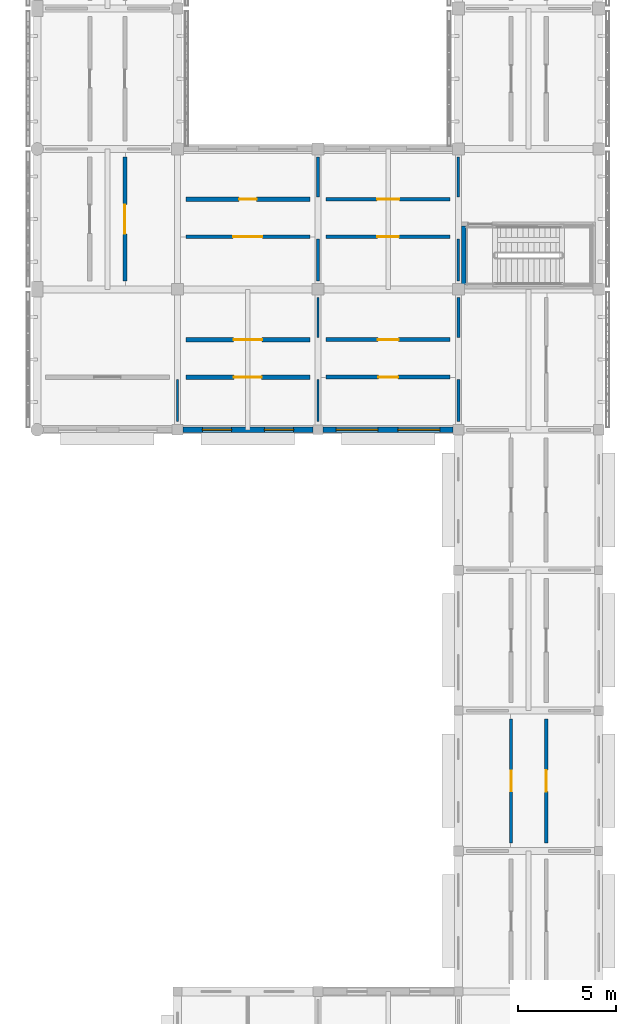
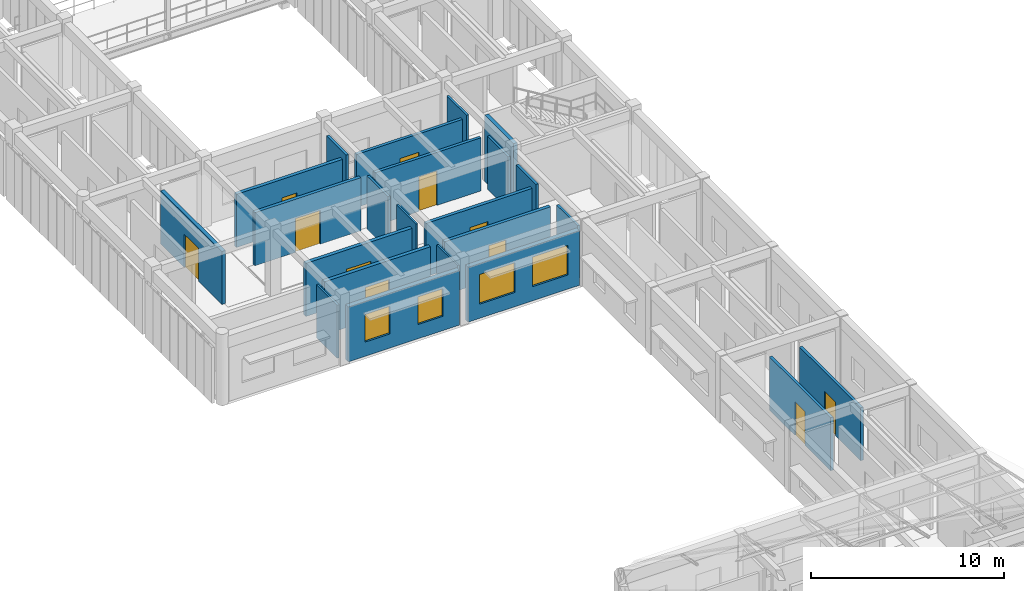
# One storey, part 136 of 171: 23 walls, 11 doors, 4 windows, 15 openings.
"""IFC4 building model written with IfcOpenShell, lengths in metres."""

from ifc_helpers import new_model, si_unit, direction, frame, frame_2d, origin, place, context, subcontext, project, spatial, rectangle, extrude, material, layer, layer_set, type_object, element, fill, save


model = new_model("IFC4")

# Units and contexts
model_context = context("Model", 3, precision=1e-05, world=origin(), true_north=direction((0.0, 1.0)))
body_context = subcontext(model_context, "Body", "Model", "MODEL_VIEW")
ifc_project = project(units=[si_unit("LENGTHUNIT", "METRE"), si_unit("AREAUNIT", "SQUARE_METRE"), si_unit("VOLUMEUNIT", "CUBIC_METRE"), si_unit("PLANEANGLEUNIT", "RADIAN"), si_unit("MASSUNIT", "GRAM", prefix="KILO")], contexts=[model_context])

# Site, building, storey
site_placement = place(None, origin())
site = spatial("IfcSite", under=ifc_project, at=site_placement, CompositionType="ELEMENT")
building_placement = place(site_placement, origin())
building = spatial("IfcBuilding", under=site, at=building_placement, Name="Aldebral Square Health Centre", CompositionType="ELEMENT")
storey_placement = place(building_placement, frame((0.0, 0.0, 4.5)))
storey = spatial("IfcBuildingStorey", under=building, at=storey_placement, Name="L01", CompositionType="ELEMENT", Elevation=4.5)

# Wall, openings, windows
ifc_material_1 = material(Name="Ochre mineral-rendered concrete C35/45 court wall", Category="concrete")
ifc_layer_1 = layer(ifc_material_1, 0.280029296875, Name="Ochre mineral-rendered concrete C35/45 court wall", Category="concrete")
ifc_layer_set_1 = layer_set([ifc_layer_1], Name="Ochre mineral-rendered concrete C35/45 court wall")
wall_type_1 = type_object("IfcWallType", Name="EW-OCH-280", PredefinedType="STANDARD", material=ifc_layer_set_1)
wall_1_placement = place(storey_placement, frame((144.27490234375, 50.39990234375, 0.0), z_axis=(0.0, 0.0, 1.0), x_axis=(1.0, 0.0, 0.0)))
wall_1 = element("IfcWall", 1, at=wall_1_placement, inside=storey, type_object=wall_type_1, Name="L01 V5 exterior wall L01-V5-20-07-S", PredefinedType="STANDARD", context=body_context, shape_type="SweptSolid", body=[
    extrude(rectangle(XDim=6.675048828125, YDim=0.280029296875, at=frame_2d((3.33740234375, 0.0))), origin(), (0.0, 0.0, 1.0), 3.469970703125),
])
opening_1_placement = place(wall_1_placement, frame((1.0, 0.0, 0.89990234375)))
opening_1 = element("IfcOpeningElement", 2, at=opening_1_placement, cuts=wall_1, Name="Opening W41", PredefinedType="OPENING", context=body_context, shape_type="SweptSolid", body=[
    extrude(rectangle(XDim=1.5, YDim=1.75, at=frame_2d((0.75, 0.875))), frame((0.0, 0.14990234375, 0.0), z_axis=(0.0, -1.0, 0.0), x_axis=(1.0, 0.0, 0.0)), (0.0, 0.0, 1.0), 0.300048828125),
])
opening_2_placement = place(wall_1_placement, frame((4.175048828125, 0.0, 0.89990234375)))
opening_2 = element("IfcOpeningElement", 3, at=opening_2_placement, cuts=wall_1, Name="Opening W41", PredefinedType="OPENING", context=body_context, shape_type="SweptSolid", body=[
    extrude(rectangle(XDim=1.5, YDim=1.75, at=frame_2d((0.75, 0.875))), frame((0.0, 0.14990234375, 0.0), z_axis=(0.0, -1.0, 0.0), x_axis=(1.0, 0.0, 0.0)), (0.0, 0.0, 1.0), 0.300048828125),
])
ifc_material_2 = material(Name="Thermally broken aluminium and low-E glass", Category="aluminium")
window_type_1 = type_object("IfcWindowType", Name="WIN-W41", PartitioningType="SINGLE_PANEL", PredefinedType="WINDOW", material=ifc_material_2)
window_1_placement = place(opening_1_placement, origin())
window_1 = element("IfcWindow", 4, at=window_1_placement, inside=storey, type_object=window_type_1, Name="L01 clinical window L01-V5-20-07-S.1", OverallHeight=1.75, OverallWidth=1.5, PartitioningType="SINGLE_PANEL", PredefinedType="WINDOW", context=body_context, shape_type="SweptSolid", body=[
    extrude(rectangle(XDim=1.5, YDim=1.75, at=frame_2d((0.75, 0.875))), frame((0.0, 0.030029296875, 0.0), z_axis=(0.0, -1.0, 0.0), x_axis=(1.0, 0.0, 0.0)), (0.0, 0.0, 1.0), 0.06005859375),
])
fill(opening_1, window_1)
window_2_placement = place(opening_2_placement, origin())
window_2 = element("IfcWindow", 5, at=window_2_placement, inside=storey, type_object=window_type_1, Name="L01 clinical window L01-V5-20-07-S.2", OverallHeight=1.75, OverallWidth=1.5, PartitioningType="SINGLE_PANEL", PredefinedType="WINDOW", context=body_context, shape_type="SweptSolid", body=[
    extrude(rectangle(XDim=1.5, YDim=1.75, at=frame_2d((0.75, 0.875))), frame((0.0, 0.030029296875, 0.0), z_axis=(0.0, -1.0, 0.0), x_axis=(1.0, 0.0, 0.0)), (0.0, 0.0, 1.0), 0.06005859375),
])
fill(opening_2, window_2)

wall_2_placement = place(storey_placement, frame((151.449951171875, 50.39990234375, 0.0), z_axis=(0.0, 0.0, 1.0), x_axis=(1.0, 0.0, 0.0)))
wall_2 = element("IfcWall", 6, at=wall_2_placement, inside=storey, type_object=wall_type_1, Name="L01 V5 exterior wall L01-V5-21-07-S", PredefinedType="STANDARD", context=body_context, shape_type="SweptSolid", body=[
    extrude(rectangle(XDim=6.675048828125, YDim=0.280029296875, at=frame_2d((3.33740234375, 0.0))), origin(), (0.0, 0.0, 1.0), 3.469970703125),
])
opening_3_placement = place(wall_2_placement, frame((0.675048828125, 0.0, 0.89990234375)))
opening_3 = element("IfcOpeningElement", 7, at=opening_3_placement, cuts=wall_2, Name="Opening W54", PredefinedType="OPENING", context=body_context, shape_type="SweptSolid", body=[
    extrude(rectangle(XDim=2.14990234375, YDim=1.8798828125, at=frame_2d((1.074951171875, 0.93994140625))), frame((0.0, 0.14990234375, 0.0), z_axis=(0.0, -1.0, 0.0), x_axis=(1.0, 0.0, 0.0)), (0.0, 0.0, 1.0), 0.300048828125),
])
opening_4_placement = place(wall_2_placement, frame((3.85009765625, 0.0, 0.89990234375)))
opening_4 = element("IfcOpeningElement", 8, at=opening_4_placement, cuts=wall_2, Name="Opening W54", PredefinedType="OPENING", context=body_context, shape_type="SweptSolid", body=[
    extrude(rectangle(XDim=2.14990234375, YDim=1.8798828125, at=frame_2d((1.074951171875, 0.93994140625))), frame((0.0, 0.14990234375, 0.0), z_axis=(0.0, -1.0, 0.0), x_axis=(1.0, 0.0, 0.0)), (0.0, 0.0, 1.0), 0.300048828125),
])
window_type_2 = type_object("IfcWindowType", Name="WIN-W54", PartitioningType="SINGLE_PANEL", PredefinedType="WINDOW", material=ifc_material_2)
window_3_placement = place(opening_3_placement, origin())
window_3 = element("IfcWindow", 9, at=window_3_placement, inside=storey, type_object=window_type_2, Name="L01 clinical window L01-V5-21-07-S.1", OverallHeight=1.8798828125, OverallWidth=2.14990234375, PartitioningType="SINGLE_PANEL", PredefinedType="WINDOW", context=body_context, shape_type="SweptSolid", body=[
    extrude(rectangle(XDim=2.14990234375, YDim=1.8798828125, at=frame_2d((1.074951171875, 0.93994140625))), frame((0.0, 0.030029296875, 0.0), z_axis=(0.0, -1.0, 0.0), x_axis=(1.0, 0.0, 0.0)), (0.0, 0.0, 1.0), 0.06005859375),
])
fill(opening_3, window_3)
window_4_placement = place(opening_4_placement, origin())
window_4 = element("IfcWindow", 10, at=window_4_placement, inside=storey, type_object=window_type_2, Name="L01 clinical window L01-V5-21-07-S.2", OverallHeight=1.8798828125, OverallWidth=2.14990234375, PartitioningType="SINGLE_PANEL", PredefinedType="WINDOW", context=body_context, shape_type="SweptSolid", body=[
    extrude(rectangle(XDim=2.14990234375, YDim=1.8798828125, at=frame_2d((1.074951171875, 0.93994140625))), frame((0.0, 0.030029296875, 0.0), z_axis=(0.0, -1.0, 0.0), x_axis=(1.0, 0.0, 0.0)), (0.0, 0.0, 1.0), 0.06005859375),
])
fill(opening_4, window_4)

# Wall, opening, door
ifc_material_3 = material(Name="Concrete C35/45 compartment wall", Category="concrete")
ifc_layer_2 = layer(ifc_material_3, 0.199951171875, Name="Concrete C35/45 compartment wall", Category="concrete")
ifc_layer_set_2 = layer_set([ifc_layer_2], Name="Concrete C35/45 compartment wall")
wall_type_2 = type_object("IfcWallType", Name="IW-CMP-200", PredefinedType="SOLIDWALL", material=ifc_layer_set_2)
wall_3_placement = place(storey_placement, frame((144.419921875, 60.300048828125, 0.0), z_axis=(0.0, 0.0, 1.0), x_axis=(1.0, 0.0, 0.0)))
wall_3 = element("IfcWall", 11, at=wall_3_placement, inside=storey, type_object=wall_type_2, Name="L01 Clean Supply Store 21.9S corridor wall", PredefinedType="SOLIDWALL", context=body_context, shape_type="SweptSolid", body=[
    extrude(rectangle(XDim=6.360107421875, YDim=0.199951171875, at=frame_2d((3.18017578125, 0.0))), origin(), (0.0, 0.0, 1.0), 3.360107421875),
])
opening_5_placement = place(wall_3_placement, frame((2.429931640625, 0.0, 0.0)))
opening_5 = element("IfcOpeningElement", 12, at=opening_5_placement, cuts=wall_3, Name="Opening D-0338", PredefinedType="OPENING", context=body_context, shape_type="SweptSolid", body=[
    extrude(rectangle(XDim=1.5, YDim=2.139892578125, at=frame_2d((0.75, 1.06982421875))), frame((0.0, 0.10986328125, 0.0), z_axis=(0.0, -1.0, 0.0), x_axis=(1.0, 0.0, 0.0)), (0.0, 0.0, 1.0), 0.219970703125),
])
ifc_material_4 = material(Name="Clinical suite fire door")
door_type_1 = type_object("IfcDoorType", Name="ID-EXD-47", OperationType="NOTDEFINED", PredefinedType="DOOR", material=ifc_material_4)
door_1_placement = place(opening_5_placement, origin())
door_1 = element("IfcDoor", 13, at=door_1_placement, inside=storey, type_object=door_type_1, Name="L01 Clean Supply Store 21.9S door", OperationType="SINGLE_SWING_LEFT", OverallHeight=2.139892578125, OverallWidth=1.5, PredefinedType="DOOR", context=body_context, shape_type="SweptSolid", body=[
    extrude(rectangle(XDim=1.5, YDim=2.139892578125, at=frame_2d((0.75, 1.06982421875))), frame((0.0, 0.02490234375, 0.0), z_axis=(0.0, -1.0, 0.0), x_axis=(1.0, 0.0, 0.0)), (0.0, 0.0, 1.0), 0.050048828125),
])
fill(opening_5, door_1)

wall_4_placement = place(storey_placement, frame((151.6201171875, 53.10009765625, 0.0), z_axis=(0.0, 0.0, 1.0), x_axis=(1.0, 0.0, 0.0)))
wall_4 = element("IfcWall", 14, at=wall_4_placement, inside=storey, type_object=wall_type_2, Name="L01 Pulmonary Function Clinic 22.8S corridor wall", PredefinedType="SOLIDWALL", context=body_context, shape_type="SweptSolid", body=[
    extrude(rectangle(XDim=6.35986328125, YDim=0.199951171875, at=frame_2d((3.179931640625, 0.0))), origin(), (0.0, 0.0, 1.0), 3.360107421875),
])
opening_6_placement = place(wall_4_placement, frame((2.669921875, 0.0, 0.0)))
opening_6 = element("IfcOpeningElement", 15, at=opening_6_placement, cuts=wall_4, Name="Opening D-0342", PredefinedType="OPENING", context=body_context, shape_type="SweptSolid", body=[
    extrude(rectangle(XDim=1.02001953125, YDim=2.18994140625, at=frame_2d((0.510009765625, 1.094970703125))), frame((0.0, 0.10986328125, 0.0), z_axis=(0.0, -1.0, 0.0), x_axis=(1.0, 0.0, 0.0)), (0.0, 0.0, 1.0), 0.219970703125),
])
door_type_2 = type_object("IfcDoorType", Name="ID-EXD-51", OperationType="NOTDEFINED", PredefinedType="DOOR", material=ifc_material_4)
door_2_placement = place(opening_6_placement, origin())
door_2 = element("IfcDoor", 16, at=door_2_placement, inside=storey, type_object=door_type_2, Name="L01 Pulmonary Function Clinic 22.8S door", OperationType="SINGLE_SWING_LEFT", OverallHeight=2.18994140625, OverallWidth=1.02001953125, PredefinedType="DOOR", context=body_context, shape_type="SweptSolid", body=[
    extrude(rectangle(XDim=1.02001953125, YDim=2.18994140625, at=frame_2d((0.510009765625, 1.094970703125))), frame((0.0, 0.02490234375, 0.0), z_axis=(0.0, -1.0, 0.0), x_axis=(1.0, 0.0, 0.0)), (0.0, 0.0, 1.0), 0.050048828125),
])
fill(opening_6, door_2)

wall_5_placement = place(storey_placement, frame((151.6201171875, 55.02001953125, 0.0), z_axis=(0.0, 0.0, 1.0), x_axis=(1.0, 0.0, 0.0)))
wall_5 = element("IfcWall", 17, at=wall_5_placement, inside=storey, type_object=wall_type_2, Name="L01 Audiology Testing Booth 22.8N corridor wall", PredefinedType="SOLIDWALL", context=body_context, shape_type="SweptSolid", body=[
    extrude(rectangle(XDim=6.35986328125, YDim=0.199951171875, at=frame_2d((3.179931640625, 0.0))), origin(), (0.0, 0.0, 1.0), 3.360107421875),
])
opening_7_placement = place(wall_5_placement, frame((2.64990234375, 0.0, 0.0)))
opening_7 = element("IfcOpeningElement", 18, at=opening_7_placement, cuts=wall_5, Name="Opening D-0343", PredefinedType="OPENING", context=body_context, shape_type="SweptSolid", body=[
    extrude(rectangle(XDim=1.06005859375, YDim=2.18994140625, at=frame_2d((0.530029296875, 1.094970703125))), frame((0.0, 0.10986328125, 0.0), z_axis=(0.0, -1.0, 0.0), x_axis=(1.0, 0.0, 0.0)), (0.0, 0.0, 1.0), 0.219970703125),
])
door_type_3 = type_object("IfcDoorType", Name="ID-EXD-52", OperationType="NOTDEFINED", PredefinedType="DOOR", material=ifc_material_4)
door_3_placement = place(opening_7_placement, origin())
door_3 = element("IfcDoor", 19, at=door_3_placement, inside=storey, type_object=door_type_3, Name="L01 Audiology Testing Booth 22.8N door", OperationType="SINGLE_SWING_RIGHT", OverallHeight=2.18994140625, OverallWidth=1.06005859375, PredefinedType="DOOR", context=body_context, shape_type="SweptSolid", body=[
    extrude(rectangle(XDim=1.06005859375, YDim=2.18994140625, at=frame_2d((0.530029296875, 1.094970703125))), frame((0.0, 0.02490234375, 0.0), z_axis=(0.0, -1.0, 0.0), x_axis=(1.0, 0.0, 0.0)), (0.0, 0.0, 1.0), 0.050048828125),
])
fill(opening_7, door_3)

ifc_layer_3 = layer(ifc_material_3, 0.219970703125, Name="Concrete C35/45 compartment wall", Category="concrete")
ifc_layer_set_3 = layer_set([ifc_layer_3], Name="Concrete C35/45 compartment wall")
wall_type_3 = type_object("IfcWallType", Name="IW-CMP-220", PredefinedType="SOLIDWALL", material=ifc_layer_set_3)
wall_6_placement = place(storey_placement, frame((141.300048828125, 58.02001953125, 0.0), z_axis=(0.0, 0.0, 1.0), x_axis=(0.0, 1.0, 0.0)))
wall_6 = element("IfcWall", 20, at=wall_6_placement, inside=storey, type_object=wall_type_3, Name="L01 Audiology Testing Booth 20.9E corridor wall", PredefinedType="SOLIDWALL", context=body_context, shape_type="SweptSolid", body=[
    extrude(rectangle(XDim=6.35986328125, YDim=0.219970703125, at=frame_2d((3.179931640625, 0.0))), origin(), (0.0, 0.0, 1.0), 3.360107421875),
])
opening_8_placement = place(wall_6_placement, frame((2.429931640625, 0.0, 0.0)))
opening_8 = element("IfcOpeningElement", 21, at=opening_8_placement, cuts=wall_6, Name="Opening D-0322", PredefinedType="OPENING", context=body_context, shape_type="SweptSolid", body=[
    extrude(rectangle(XDim=1.5, YDim=2.090087890625, at=frame_2d((0.75, 1.044921875))), frame((0.0, 0.1201171875, 0.0), z_axis=(0.0, -1.0, 0.0), x_axis=(1.0, 0.0, 0.0)), (0.0, 0.0, 1.0), 0.239990234375),
])
door_type_4 = type_object("IfcDoorType", Name="ID-EXD-31", OperationType="NOTDEFINED", PredefinedType="DOOR", material=ifc_material_4)
door_4_placement = place(opening_8_placement, origin())
door_4 = element("IfcDoor", 22, at=door_4_placement, inside=storey, type_object=door_type_4, Name="L01 Audiology Testing Booth 20.9E door", OperationType="SINGLE_SWING_LEFT", OverallHeight=2.090087890625, OverallWidth=1.5, PredefinedType="DOOR", context=body_context, shape_type="SweptSolid", body=[
    extrude(rectangle(XDim=1.5, YDim=2.090087890625, at=frame_2d((0.75, 1.044921875))), frame((0.0, 0.02490234375, 0.0), z_axis=(0.0, -1.0, 0.0), x_axis=(1.0, 0.0, 0.0)), (0.0, 0.0, 1.0), 0.050048828125),
])
fill(opening_8, door_4)

wall_7_placement = place(storey_placement, frame((144.419921875, 53.10009765625, 0.0), z_axis=(0.0, 0.0, 1.0), x_axis=(1.0, 0.0, 0.0)))
wall_7 = element("IfcWall", 23, at=wall_7_placement, inside=storey, type_object=wall_type_3, Name="L01 Audiology Testing Booth 21.8S corridor wall", PredefinedType="SOLIDWALL", context=body_context, shape_type="SweptSolid", body=[
    extrude(rectangle(XDim=6.360107421875, YDim=0.219970703125, at=frame_2d((3.18017578125, 0.0))), origin(), (0.0, 0.0, 1.0), 3.360107421875),
])
opening_9_placement = place(wall_7_placement, frame((2.469970703125, 0.0, 0.0)))
opening_9 = element("IfcOpeningElement", 24, at=opening_9_placement, cuts=wall_7, Name="Opening D-0336", PredefinedType="OPENING", context=body_context, shape_type="SweptSolid", body=[
    extrude(rectangle(XDim=1.419921875, YDim=2.139892578125, at=frame_2d((0.7099609375, 1.06982421875))), frame((0.0, 0.1201171875, 0.0), z_axis=(0.0, -1.0, 0.0), x_axis=(1.0, 0.0, 0.0)), (0.0, 0.0, 1.0), 0.239990234375),
])
door_type_5 = type_object("IfcDoorType", Name="ID-EXD-45", OperationType="NOTDEFINED", PredefinedType="DOOR", material=ifc_material_4)
door_5_placement = place(opening_9_placement, origin())
door_5 = element("IfcDoor", 25, at=door_5_placement, inside=storey, type_object=door_type_5, Name="L01 Audiology Testing Booth 21.8S door", OperationType="SINGLE_SWING_LEFT", OverallHeight=2.139892578125, OverallWidth=1.419921875, PredefinedType="DOOR", context=body_context, shape_type="SweptSolid", body=[
    extrude(rectangle(XDim=1.419921875, YDim=2.139892578125, at=frame_2d((0.7099609375, 1.06982421875))), frame((0.0, 0.02490234375, 0.0), z_axis=(0.0, -1.0, 0.0), x_axis=(1.0, 0.0, 0.0)), (0.0, 0.0, 1.0), 0.050048828125),
])
fill(opening_9, door_5)

wall_8_placement = place(storey_placement, frame((144.419921875, 55.02001953125, 0.0), z_axis=(0.0, 0.0, 1.0), x_axis=(1.0, 0.0, 0.0)))
wall_8 = element("IfcWall", 26, at=wall_8_placement, inside=storey, type_object=wall_type_3, Name="L01 Maternal-Child Clinic 21.8N corridor wall", PredefinedType="SOLIDWALL", context=body_context, shape_type="SweptSolid", body=[
    extrude(rectangle(XDim=6.360107421875, YDim=0.219970703125, at=frame_2d((3.18017578125, 0.0))), origin(), (0.0, 0.0, 1.0), 3.360107421875),
])
opening_10_placement = place(wall_8_placement, frame((2.449951171875, 0.0, 0.0)))
opening_10 = element("IfcOpeningElement", 27, at=opening_10_placement, cuts=wall_8, Name="Opening D-0337", PredefinedType="OPENING", context=body_context, shape_type="SweptSolid", body=[
    extrude(rectangle(XDim=1.4599609375, YDim=2.139892578125, at=frame_2d((0.72998046875, 1.06982421875))), frame((0.0, 0.1201171875, 0.0), z_axis=(0.0, -1.0, 0.0), x_axis=(1.0, 0.0, 0.0)), (0.0, 0.0, 1.0), 0.239990234375),
])
door_type_6 = type_object("IfcDoorType", Name="ID-EXD-46", OperationType="NOTDEFINED", PredefinedType="DOOR", material=ifc_material_4)
door_6_placement = place(opening_10_placement, origin())
door_6 = element("IfcDoor", 28, at=door_6_placement, inside=storey, type_object=door_type_6, Name="L01 Maternal-Child Clinic 21.8N door", OperationType="SINGLE_SWING_RIGHT", OverallHeight=2.139892578125, OverallWidth=1.4599609375, PredefinedType="DOOR", context=body_context, shape_type="SweptSolid", body=[
    extrude(rectangle(XDim=1.4599609375, YDim=2.139892578125, at=frame_2d((0.72998046875, 1.06982421875))), frame((0.0, 0.02490234375, 0.0), z_axis=(0.0, -1.0, 0.0), x_axis=(1.0, 0.0, 0.0)), (0.0, 0.0, 1.0), 0.050048828125),
])
fill(opening_10, door_6)

ifc_material_5 = material(Name="Fire-rated acoustic gypsum partition")
ifc_layer_4 = layer(ifc_material_5, 0.1650390625, Name="Fire-rated acoustic gypsum partition")
ifc_layer_set_4 = layer_set([ifc_layer_4], Name="Fire-rated acoustic gypsum partition")
wall_type_4 = type_object("IfcWallType", Name="IW-COR-165", PredefinedType="PARTITIONING", material=ifc_layer_set_4)
wall_9_placement = place(storey_placement, frame((161.10009765625, 29.219970703125, 0.0), z_axis=(0.0, 0.0, 1.0), x_axis=(0.0, 1.0, 0.0)))
wall_9 = element("IfcWall", 29, at=wall_9_placement, inside=storey, type_object=wall_type_4, Name="L01 Occupational Therapy Workshop 23.5W corridor wall", PredefinedType="PARTITIONING", context=body_context, shape_type="SweptSolid", body=[
    extrude(rectangle(XDim=6.360107421875, YDim=0.1650390625, at=frame_2d((3.18017578125, 0.0))), origin(), (0.0, 0.0, 1.0), 3.360107421875),
])
opening_11_placement = place(wall_9_placement, frame((2.64990234375, 0.0, 0.0)))
opening_11 = element("IfcOpeningElement", 30, at=opening_11_placement, cuts=wall_9, Name="Opening D-0258", PredefinedType="OPENING", context=body_context, shape_type="SweptSolid", body=[
    extrude(rectangle(XDim=1.06005859375, YDim=2.139892578125, at=frame_2d((0.530029296875, 1.06982421875))), frame((0.0, 0.092529296875, 0.0), z_axis=(0.0, -1.0, 0.0), x_axis=(1.0, 0.0, 0.0)), (0.0, 0.0, 1.0), 0.18505859375),
])
door_type_7 = type_object("IfcDoorType", Name="ID-EXD-36", OperationType="NOTDEFINED", PredefinedType="DOOR", material=ifc_material_4)
door_7_placement = place(opening_11_placement, origin())
door_7 = element("IfcDoor", 31, at=door_7_placement, inside=storey, type_object=door_type_7, Name="L01 Occupational Therapy Workshop 23.5W door", OperationType="SINGLE_SWING_LEFT", OverallHeight=2.139892578125, OverallWidth=1.06005859375, PredefinedType="DOOR", context=body_context, shape_type="SweptSolid", body=[
    extrude(rectangle(XDim=1.06005859375, YDim=2.139892578125, at=frame_2d((0.530029296875, 1.06982421875))), frame((0.0, 0.02490234375, 0.0), z_axis=(0.0, -1.0, 0.0), x_axis=(1.0, 0.0, 0.0)), (0.0, 0.0, 1.0), 0.050048828125),
])
fill(opening_11, door_7)

wall_10_placement = place(storey_placement, frame((162.89990234375, 29.219970703125, 0.0), z_axis=(0.0, 0.0, 1.0), x_axis=(0.0, 1.0, 0.0)))
wall_10 = element("IfcWall", 32, at=wall_10_placement, inside=storey, type_object=wall_type_4, Name="L01 Sensory Recovery Suite 23.5E corridor wall", PredefinedType="PARTITIONING", context=body_context, shape_type="SweptSolid", body=[
    extrude(rectangle(XDim=6.360107421875, YDim=0.1650390625, at=frame_2d((3.18017578125, 0.0))), origin(), (0.0, 0.0, 1.0), 3.360107421875),
])
opening_12_placement = place(wall_10_placement, frame((2.6298828125, 0.0, 0.0)))
opening_12 = element("IfcOpeningElement", 33, at=opening_12_placement, cuts=wall_10, Name="Opening D-0259", PredefinedType="OPENING", context=body_context, shape_type="SweptSolid", body=[
    extrude(rectangle(XDim=1.10009765625, YDim=2.139892578125, at=frame_2d((0.550048828125, 1.06982421875))), frame((0.0, 0.092529296875, 0.0), z_axis=(0.0, -1.0, 0.0), x_axis=(1.0, 0.0, 0.0)), (0.0, 0.0, 1.0), 0.18505859375),
])
door_type_8 = type_object("IfcDoorType", Name="ID-EXD-37", OperationType="NOTDEFINED", PredefinedType="DOOR", material=ifc_material_4)
door_8_placement = place(opening_12_placement, origin())
door_8 = element("IfcDoor", 34, at=door_8_placement, inside=storey, type_object=door_type_8, Name="L01 Sensory Recovery Suite 23.5E door", OperationType="SINGLE_SWING_RIGHT", OverallHeight=2.139892578125, OverallWidth=1.10009765625, PredefinedType="DOOR", context=body_context, shape_type="SweptSolid", body=[
    extrude(rectangle(XDim=1.10009765625, YDim=2.139892578125, at=frame_2d((0.550048828125, 1.06982421875))), frame((0.0, 0.02490234375, 0.0), z_axis=(0.0, -1.0, 0.0), x_axis=(1.0, 0.0, 0.0)), (0.0, 0.0, 1.0), 0.050048828125),
])
fill(opening_12, door_8)

ifc_layer_5 = layer(ifc_material_5, 0.179931640625, Name="Fire-rated acoustic gypsum partition")
ifc_layer_set_5 = layer_set([ifc_layer_5], Name="Fire-rated acoustic gypsum partition")
wall_type_5 = type_object("IfcWallType", Name="IW-COR-180", PredefinedType="PARTITIONING", material=ifc_layer_set_5)
wall_11_placement = place(storey_placement, frame((151.6201171875, 60.300048828125, 0.0), z_axis=(0.0, 0.0, 1.0), x_axis=(1.0, 0.0, 0.0)))
wall_11 = element("IfcWall", 35, at=wall_11_placement, inside=storey, type_object=wall_type_5, Name="L01 Maternal-Child Clinic 22.9S corridor wall", PredefinedType="PARTITIONING", context=body_context, shape_type="SweptSolid", body=[
    extrude(rectangle(XDim=6.35986328125, YDim=0.179931640625, at=frame_2d((3.179931640625, 0.0))), origin(), (0.0, 0.0, 1.0), 3.360107421875),
])
opening_13_placement = place(wall_11_placement, frame((2.6298828125, 0.0, 0.0)))
opening_13 = element("IfcOpeningElement", 36, at=opening_13_placement, cuts=wall_11, Name="Opening D-0344", PredefinedType="OPENING", context=body_context, shape_type="SweptSolid", body=[
    extrude(rectangle(XDim=1.10009765625, YDim=2.18994140625, at=frame_2d((0.550048828125, 1.094970703125))), frame((0.0, 0.10009765625, 0.0), z_axis=(0.0, -1.0, 0.0), x_axis=(1.0, 0.0, 0.0)), (0.0, 0.0, 1.0), 0.199951171875),
])
door_type_9 = type_object("IfcDoorType", Name="ID-EXD-53", OperationType="NOTDEFINED", PredefinedType="DOOR", material=ifc_material_4)
door_9_placement = place(opening_13_placement, origin())
door_9 = element("IfcDoor", 37, at=door_9_placement, inside=storey, type_object=door_type_9, Name="L01 Maternal-Child Clinic 22.9S door", OperationType="SINGLE_SWING_LEFT", OverallHeight=2.18994140625, OverallWidth=1.10009765625, PredefinedType="DOOR", context=body_context, shape_type="SweptSolid", body=[
    extrude(rectangle(XDim=1.10009765625, YDim=2.18994140625, at=frame_2d((0.550048828125, 1.094970703125))), frame((0.0, 0.02490234375, 0.0), z_axis=(0.0, -1.0, 0.0), x_axis=(1.0, 0.0, 0.0)), (0.0, 0.0, 1.0), 0.050048828125),
])
fill(opening_13, door_9)

wall_12_placement = place(storey_placement, frame((151.6201171875, 62.219970703125, 0.0), z_axis=(0.0, 0.0, 1.0), x_axis=(1.0, 0.0, 0.0)))
wall_12 = element("IfcWall", 38, at=wall_12_placement, inside=storey, type_object=wall_type_5, Name="L01 Clean Supply Store 22.9N corridor wall", PredefinedType="PARTITIONING", context=body_context, shape_type="SweptSolid", body=[
    extrude(rectangle(XDim=6.35986328125, YDim=0.179931640625, at=frame_2d((3.179931640625, 0.0))), origin(), (0.0, 0.0, 1.0), 3.360107421875),
])
opening_14_placement = place(wall_12_placement, frame((2.610107421875, 0.0, 0.0)))
opening_14 = element("IfcOpeningElement", 39, at=opening_14_placement, cuts=wall_12, Name="Opening D-0345", PredefinedType="OPENING", context=body_context, shape_type="SweptSolid", body=[
    extrude(rectangle(XDim=1.139892578125, YDim=2.18994140625, at=frame_2d((0.56982421875, 1.094970703125))), frame((0.0, 0.10009765625, 0.0), z_axis=(0.0, -1.0, 0.0), x_axis=(1.0, 0.0, 0.0)), (0.0, 0.0, 1.0), 0.199951171875),
])
door_type_10 = type_object("IfcDoorType", Name="ID-EXD-54", OperationType="NOTDEFINED", PredefinedType="DOOR", material=ifc_material_4)
door_10_placement = place(opening_14_placement, origin())
door_10 = element("IfcDoor", 40, at=door_10_placement, inside=storey, type_object=door_type_10, Name="L01 Clean Supply Store 22.9N door", OperationType="SINGLE_SWING_RIGHT", OverallHeight=2.18994140625, OverallWidth=1.139892578125, PredefinedType="DOOR", context=body_context, shape_type="SweptSolid", body=[
    extrude(rectangle(XDim=1.139892578125, YDim=2.18994140625, at=frame_2d((0.56982421875, 1.094970703125))), frame((0.0, 0.02490234375, 0.0), z_axis=(0.0, -1.0, 0.0), x_axis=(1.0, 0.0, 0.0)), (0.0, 0.0, 1.0), 0.050048828125),
])
fill(opening_14, door_10)

# Wall
ifc_material_6 = material(Name="Concrete C40/50", Category="concrete")
ifc_layer_6 = layer(ifc_material_6, 0.219970703125, Name="Concrete C40/50", Category="concrete")
ifc_layer_set_6 = layer_set([ifc_layer_6], Name="Concrete C40/50")
wall_type_6 = type_object("IfcWallType", Name="IW-CORE-280", PredefinedType="SHEAR", material=ifc_layer_set_6)
wall_13_placement = place(storey_placement, frame((158.669921875, 57.840087890625, 0.0), z_axis=(0.0, 0.0, 1.0), x_axis=(0.0, 1.0, 0.0)))
element("IfcWall", 41, at=wall_13_placement, inside=storey, type_object=wall_type_6, Name="L01 WS-S9 shaft wall W", PredefinedType="SHEAR", context=body_context, shape_type="SweptSolid", body=[
    extrude(rectangle(XDim=3.0, YDim=0.219970703125, at=frame_2d((1.5, 0.0))), origin(), (0.0, 0.0, 1.0), 4.219970703125),
])

# Wall, opening, door
ifc_material_7 = material(Name="Moisture-resistant sanitary chase wall")
ifc_layer_7 = layer(ifc_material_7, 0.2099609375, Name="Moisture-resistant sanitary chase wall")
ifc_layer_set_7 = layer_set([ifc_layer_7], Name="Moisture-resistant sanitary chase wall")
wall_type_7 = type_object("IfcWallType", Name="IW-PLB-210", PredefinedType="PLUMBINGWALL", material=ifc_layer_set_7)
wall_14_placement = place(storey_placement, frame((144.419921875, 62.219970703125, 0.0), z_axis=(0.0, 0.0, 1.0), x_axis=(1.0, 0.0, 0.0)))
wall_14 = element("IfcWall", 42, at=wall_14_placement, inside=storey, type_object=wall_type_7, Name="L01 Accessible WC 21.9N corridor wall", PredefinedType="PLUMBINGWALL", context=body_context, shape_type="SweptSolid", body=[
    extrude(rectangle(XDim=6.360107421875, YDim=0.2099609375, at=frame_2d((3.18017578125, 0.0))), origin(), (0.0, 0.0, 1.0), 3.360107421875),
])
opening_15_placement = place(wall_14_placement, frame((2.72998046875, 0.0, 0.0)))
opening_15 = element("IfcOpeningElement", 43, at=opening_15_placement, cuts=wall_14, Name="Opening D-0339", PredefinedType="OPENING", context=body_context, shape_type="SweptSolid", body=[
    extrude(rectangle(XDim=0.89990234375, YDim=2.18994140625, at=frame_2d((0.449951171875, 1.094970703125))), frame((0.0, 0.114990234375, 0.0), z_axis=(0.0, -1.0, 0.0), x_axis=(1.0, 0.0, 0.0)), (0.0, 0.0, 1.0), 0.22998046875),
])
door_type_11 = type_object("IfcDoorType", Name="ID-EXD-48", OperationType="NOTDEFINED", PredefinedType="DOOR", material=ifc_material_4)
door_11_placement = place(opening_15_placement, origin())
door_11 = element("IfcDoor", 44, at=door_11_placement, inside=storey, type_object=door_type_11, Name="L01 Accessible WC 21.9N door", OperationType="SINGLE_SWING_RIGHT", OverallHeight=2.18994140625, OverallWidth=0.89990234375, PredefinedType="DOOR", context=body_context, shape_type="SweptSolid", body=[
    extrude(rectangle(XDim=0.89990234375, YDim=2.18994140625, at=frame_2d((0.449951171875, 1.094970703125))), frame((0.0, 0.02490234375, 0.0), z_axis=(0.0, -1.0, 0.0), x_axis=(1.0, 0.0, 0.0)), (0.0, 0.0, 1.0), 0.050048828125),
])
fill(opening_15, door_11)

# Walls
ifc_material_8 = material(Name="Lightweight clinical partition")
ifc_layer_8 = layer(ifc_material_8, 0.10498046875, Name="Lightweight clinical partition")
ifc_layer_set_8 = layer_set([ifc_layer_8], Name="Lightweight clinical partition")
wall_type_8 = type_object("IfcWallType", Name="IW-PRT-105", PredefinedType="PARTITIONING", material=ifc_layer_set_8)
wall_15_placement = place(storey_placement, frame((151.199951171875, 50.820068359375, 0.0), z_axis=(0.0, 0.0, 1.0), x_axis=(0.0, 1.0, 0.0)))
element("IfcWall", 45, at=wall_15_placement, inside=storey, type_object=wall_type_8, Name="L01 Audiology Testing Booth 21.8S demising partition", PredefinedType="PARTITIONING", context=body_context, shape_type="SweptSolid", body=[
    extrude(rectangle(XDim=2.159912109375, YDim=0.10498046875, at=frame_2d((1.080078125, 0.0))), origin(), (0.0, 0.0, 1.0), 3.360107421875),
])
wall_16_placement = place(storey_placement, frame((151.199951171875, 55.139892578125, 0.0), z_axis=(0.0, 0.0, 1.0), x_axis=(0.0, 1.0, 0.0)))
element("IfcWall", 46, at=wall_16_placement, inside=storey, type_object=wall_type_8, Name="L01 Maternal-Child Clinic 21.8N demising partition", PredefinedType="PARTITIONING", context=body_context, shape_type="SweptSolid", body=[
    extrude(rectangle(XDim=2.0400390625, YDim=0.10498046875, at=frame_2d((1.02001953125, 0.0))), origin(), (0.0, 0.0, 1.0), 3.360107421875),
])
ifc_material_9 = material(Name="Acoustic clinical gypsum partition")
ifc_layer_9 = layer(ifc_material_9, 0.1201171875, Name="Acoustic clinical gypsum partition")
ifc_layer_set_9 = layer_set([ifc_layer_9], Name="Acoustic clinical gypsum partition")
wall_type_9 = type_object("IfcWallType", Name="IW-PRT-120", PredefinedType="PARTITIONING", material=ifc_layer_set_9)
wall_17_placement = place(storey_placement, frame((144.0, 50.820068359375, 0.0), z_axis=(0.0, 0.0, 1.0), x_axis=(0.0, 1.0, 0.0)))
element("IfcWall", 47, at=wall_17_placement, inside=storey, type_object=wall_type_9, Name="L01 Endoscopy Diagnostic Suite 20.8S demising partition", PredefinedType="PARTITIONING", context=body_context, shape_type="SweptSolid", body=[
    extrude(rectangle(XDim=2.159912109375, YDim=0.1201171875, at=frame_2d((1.080078125, 0.0))), origin(), (0.0, 0.0, 1.0), 3.360107421875),
])
ifc_layer_10 = layer(ifc_material_9, 0.135009765625, Name="Acoustic clinical gypsum partition")
ifc_layer_set_10 = layer_set([ifc_layer_10], Name="Acoustic clinical gypsum partition")
wall_type_10 = type_object("IfcWallType", Name="IW-PRT-135", PredefinedType="PARTITIONING", material=ifc_layer_set_10)
wall_18_placement = place(storey_placement, frame((158.39990234375, 58.02001953125, 0.0), z_axis=(0.0, 0.0, 1.0), x_axis=(0.0, 1.0, 0.0)))
element("IfcWall", 48, at=wall_18_placement, inside=storey, type_object=wall_type_10, Name="L01 Maternal-Child Clinic 22.9S demising partition", PredefinedType="PARTITIONING", context=body_context, shape_type="SweptSolid", body=[
    extrude(rectangle(XDim=2.159912109375, YDim=0.135009765625, at=frame_2d((1.080078125, 0.0))), origin(), (0.0, 0.0, 1.0), 3.360107421875),
])
wall_19_placement = place(storey_placement, frame((158.39990234375, 62.340087890625, 0.0), z_axis=(0.0, 0.0, 1.0), x_axis=(0.0, 1.0, 0.0)))
element("IfcWall", 49, at=wall_19_placement, inside=storey, type_object=wall_type_10, Name="L01 Clean Supply Store 22.9N demising partition", PredefinedType="PARTITIONING", context=body_context, shape_type="SweptSolid", body=[
    extrude(rectangle(XDim=2.039794921875, YDim=0.135009765625, at=frame_2d((1.02001953125, 0.0))), origin(), (0.0, 0.0, 1.0), 3.360107421875),
])
ifc_layer_11 = layer(ifc_material_9, 0.14990234375, Name="Acoustic clinical gypsum partition")
ifc_layer_set_11 = layer_set([ifc_layer_11], Name="Acoustic clinical gypsum partition")
wall_type_11 = type_object("IfcWallType", Name="IW-PRT-150", PredefinedType="PARTITIONING", material=ifc_layer_set_11)
wall_20_placement = place(storey_placement, frame((151.199951171875, 58.02001953125, 0.0), z_axis=(0.0, 0.0, 1.0), x_axis=(0.0, 1.0, 0.0)))
element("IfcWall", 50, at=wall_20_placement, inside=storey, type_object=wall_type_11, Name="L01 Clean Supply Store 21.9S demising partition", PredefinedType="PARTITIONING", context=body_context, shape_type="SweptSolid", body=[
    extrude(rectangle(XDim=2.159912109375, YDim=0.14990234375, at=frame_2d((1.080078125, 0.0))), origin(), (0.0, 0.0, 1.0), 3.360107421875),
])
wall_21_placement = place(storey_placement, frame((151.199951171875, 62.340087890625, 0.0), z_axis=(0.0, 0.0, 1.0), x_axis=(0.0, 1.0, 0.0)))
element("IfcWall", 51, at=wall_21_placement, inside=storey, type_object=wall_type_11, Name="L01 Accessible WC 21.9N demising partition", PredefinedType="PARTITIONING", context=body_context, shape_type="SweptSolid", body=[
    extrude(rectangle(XDim=2.039794921875, YDim=0.14990234375, at=frame_2d((1.02001953125, 0.0))), origin(), (0.0, 0.0, 1.0), 3.360107421875),
])
wall_22_placement = place(storey_placement, frame((158.39990234375, 50.820068359375, 0.0), z_axis=(0.0, 0.0, 1.0), x_axis=(0.0, 1.0, 0.0)))
element("IfcWall", 52, at=wall_22_placement, inside=storey, type_object=wall_type_11, Name="L01 Pulmonary Function Clinic 22.8S demising partition", PredefinedType="PARTITIONING", context=body_context, shape_type="SweptSolid", body=[
    extrude(rectangle(XDim=2.159912109375, YDim=0.14990234375, at=frame_2d((1.080078125, 0.0))), origin(), (0.0, 0.0, 1.0), 3.360107421875),
])
wall_23_placement = place(storey_placement, frame((158.39990234375, 55.139892578125, 0.0), z_axis=(0.0, 0.0, 1.0), x_axis=(0.0, 1.0, 0.0)))
element("IfcWall", 53, at=wall_23_placement, inside=storey, type_object=wall_type_11, Name="L01 Audiology Testing Booth 22.8N demising partition", PredefinedType="PARTITIONING", context=body_context, shape_type="SweptSolid", body=[
    extrude(rectangle(XDim=2.0400390625, YDim=0.14990234375, at=frame_2d((1.02001953125, 0.0))), origin(), (0.0, 0.0, 1.0), 3.360107421875),
])

save(model, "model.ifc")
